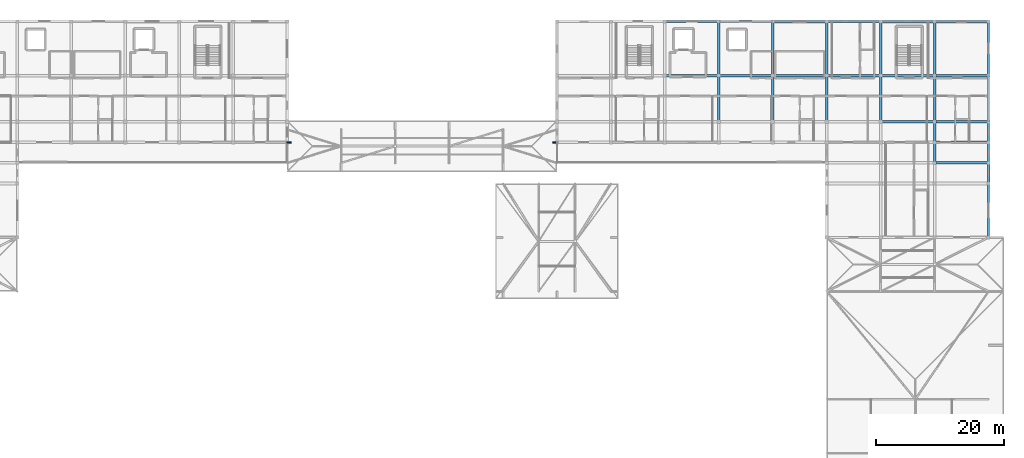
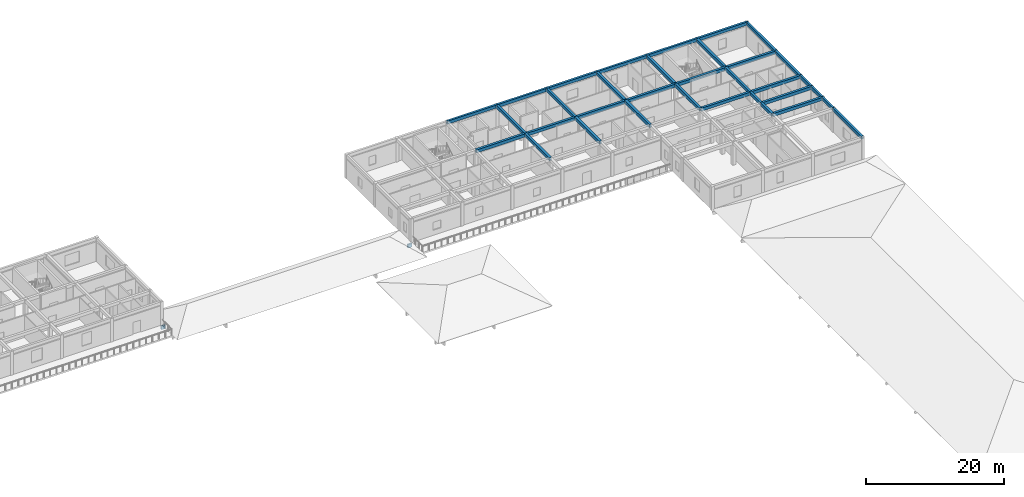
# One storey, part 6 of 26: 36 beams.
"""IFC4 building model written with IfcOpenShell, lengths in metres."""

from ifc_helpers import new_model, si_unit, direction, frame, origin, origin_2d, place, context, subcontext, project, spatial, rectangle, extrude, material, material_profile, profile_set, type_object, element, save


model = new_model("IFC4")

# Units and contexts
model_context = context("Model", 3, precision=1e-05, world=origin(), true_north=direction((0.0, 1.0)))
body_context = subcontext(model_context, "Body", "Model", "MODEL_VIEW")
ifc_project = project(units=[si_unit("LENGTHUNIT", "METRE"), si_unit("AREAUNIT", "SQUARE_METRE"), si_unit("VOLUMEUNIT", "CUBIC_METRE"), si_unit("PLANEANGLEUNIT", "RADIAN"), si_unit("MASSUNIT", "GRAM", prefix="KILO")], contexts=[model_context])

# Site, building, storey
site_placement = place(None, origin())
site = spatial("IfcSite", under=ifc_project, at=site_placement, CompositionType="ELEMENT")
building_placement = place(site_placement, origin())
building = spatial("IfcBuilding", under=site, at=building_placement, Name="Varncliffe General Hospital", CompositionType="ELEMENT")
storey_placement = place(building_placement, frame((0.0, 0.0, 28.800048828125)))
storey = spatial("IfcBuildingStorey", under=building, at=storey_placement, Name="L06", CompositionType="ELEMENT", Elevation=28.800048828125)

# Beams
ifc_material_1 = material(Name="Concrete C35/45 (CSA A23.1 35 MPa)", Category="concrete")
ifc_material_profile_1 = material_profile(ifc_material_1, rectangle(XDim=0.39990234375, YDim=0.550048828125, at=origin_2d()), Name="RC 400x550")
ifc_profile_set_1 = profile_set([ifc_material_profile_1], Name="Concrete C35/45 (CSA A23.1 35 MPa)")
beam_type_1 = type_object("IfcBeamType", Name="Beam B32 (Int RC 400x550)", PredefinedType="BEAM", material=ifc_profile_set_1)
for number, where, z_axis, x_axis, name in (
    (1, (168.0, 102.800048828125, 3.925048828125), (1.0, 0.0, 0.0), (0.0, 1.0, 0.0), "L06 Primary Beam B32-18"),
    (2, (168.0, 106.0, 3.925048828125), (1.0, 0.0, 0.0), (0.0, 1.0, 0.0), "L06 Primary Beam B32-34"),
    (3, (159.60009765625, 109.199951171875, 3.925048828125), (1.0, 0.0, 0.0), (0.0, 1.0, 0.0), "L06 Primary Beam B32-49"),
    (4, (168.0, 109.199951171875, 3.925048828125), (1.0, 0.0, 0.0), (0.0, 1.0, 0.0), "L06 Primary Beam B32-50"),
    (5, (126.0, 116.39990234375, 3.925048828125), (1.0, 0.0, 0.0), (0.0, 1.0, 0.0), "L06 Primary Beam B32-61"),
):
    element("IfcBeam", number, at=place(storey_placement, frame(where, z_axis=z_axis, x_axis=x_axis)), inside=storey, type_object=beam_type_1, Name=name, PredefinedType="BEAM", context=body_context, shape_type="SweptSolid", body=[
        extrude(rectangle(XDim=0.39990234375, YDim=0.550048828125, at=origin_2d()), origin(), (0.0, 0.0, 1.0), 8.39990234375),
    ])
beam_1_placement = place(storey_placement, frame((134.39990234375, 116.39990234375, 3.925048828125), z_axis=(1.0, 0.0, 0.0), x_axis=(0.0, 1.0, 0.0)))
element("IfcBeam", 6, at=beam_1_placement, inside=storey, type_object=beam_type_1, Name="L06 Primary Beam B32-62", PredefinedType="BEAM", context=body_context, shape_type="SweptSolid", body=[
    extrude(rectangle(XDim=0.39990234375, YDim=0.550048828125, at=origin_2d()), origin(), (0.0, 0.0, 1.0), 8.400146484375),
])
beam_2_placement = place(storey_placement, frame((142.800048828125, 116.39990234375, 3.925048828125), z_axis=(1.0, 0.0, 0.0), x_axis=(0.0, 1.0, 0.0)))
element("IfcBeam", 7, at=beam_2_placement, inside=storey, type_object=beam_type_1, Name="L06 Primary Beam B32-63", PredefinedType="BEAM", context=body_context, shape_type="SweptSolid", body=[
    extrude(rectangle(XDim=0.39990234375, YDim=0.550048828125, at=origin_2d()), origin(), (0.0, 0.0, 1.0), 8.39990234375),
])
beam_3_placement = place(storey_placement, frame((151.199951171875, 116.39990234375, 3.925048828125), z_axis=(1.0, 0.0, 0.0), x_axis=(0.0, 1.0, 0.0)))
element("IfcBeam", 8, at=beam_3_placement, inside=storey, type_object=beam_type_1, Name="L06 Primary Beam B32-64", PredefinedType="BEAM", context=body_context, shape_type="SweptSolid", body=[
    extrude(rectangle(XDim=0.39990234375, YDim=0.550048828125, at=origin_2d()), origin(), (0.0, 0.0, 1.0), 8.400146484375),
])
for number, where, z_axis, x_axis, name in (
    (9, (159.60009765625, 116.39990234375, 3.925048828125), (1.0, 0.0, 0.0), (0.0, 1.0, 0.0), "L06 Primary Beam B32-65"),
    (10, (168.0, 116.39990234375, 3.925048828125), (1.0, 0.0, 0.0), (0.0, 1.0, 0.0), "L06 Primary Beam B32-66"),
):
    element("IfcBeam", number, at=place(storey_placement, frame(where, z_axis=z_axis, x_axis=x_axis)), inside=storey, type_object=beam_type_1, Name=name, PredefinedType="BEAM", context=body_context, shape_type="SweptSolid", body=[
        extrude(rectangle(XDim=0.39990234375, YDim=0.550048828125, at=origin_2d()), origin(), (0.0, 0.0, 1.0), 8.39990234375),
    ])
beam_4_placement = place(storey_placement, frame((134.39990234375, 109.199951171875, 3.925048828125), z_axis=(0.0, 1.0, 0.0), x_axis=(-1.0, 0.0, 0.0)))
element("IfcBeam", 11, at=beam_4_placement, inside=storey, type_object=beam_type_1, Name="L06 Primary Beam B32-132", PredefinedType="BEAM", context=body_context, shape_type="SweptSolid", body=[
    extrude(rectangle(XDim=0.39990234375, YDim=0.550048828125, at=origin_2d()), origin(), (0.0, 0.0, 1.0), 7.199951171875),
])
beam_5_placement = place(storey_placement, frame((134.39990234375, 116.39990234375, 3.925048828125), z_axis=(0.0, 1.0, 0.0), x_axis=(-1.0, 0.0, 0.0)))
element("IfcBeam", 12, at=beam_5_placement, inside=storey, type_object=beam_type_1, Name="L06 Primary Beam B32-133", PredefinedType="BEAM", context=body_context, shape_type="SweptSolid", body=[
    extrude(rectangle(XDim=0.39990234375, YDim=0.550048828125, at=origin_2d()), origin(), (0.0, 0.0, 1.0), 8.400146484375),
])
beam_6_placement = place(storey_placement, frame((142.800048828125, 109.199951171875, 3.925048828125), z_axis=(0.0, 1.0, 0.0), x_axis=(-1.0, 0.0, 0.0)))
element("IfcBeam", 13, at=beam_6_placement, inside=storey, type_object=beam_type_1, Name="L06 Primary Beam B32-135", PredefinedType="BEAM", context=body_context, shape_type="SweptSolid", body=[
    extrude(rectangle(XDim=0.39990234375, YDim=0.550048828125, at=origin_2d()), origin(), (0.0, 0.0, 1.0), 7.199951171875),
])
beam_7_placement = place(storey_placement, frame((142.800048828125, 116.39990234375, 3.925048828125), z_axis=(0.0, 1.0, 0.0), x_axis=(-1.0, 0.0, 0.0)))
element("IfcBeam", 14, at=beam_7_placement, inside=storey, type_object=beam_type_1, Name="L06 Primary Beam B32-136", PredefinedType="BEAM", context=body_context, shape_type="SweptSolid", body=[
    extrude(rectangle(XDim=0.39990234375, YDim=0.550048828125, at=origin_2d()), origin(), (0.0, 0.0, 1.0), 8.400146484375),
])
beam_8_placement = place(storey_placement, frame((151.199951171875, 109.199951171875, 3.925048828125), z_axis=(0.0, 1.0, 0.0), x_axis=(-1.0, 0.0, 0.0)))
element("IfcBeam", 15, at=beam_8_placement, inside=storey, type_object=beam_type_1, Name="L06 Primary Beam B32-141", PredefinedType="BEAM", context=body_context, shape_type="SweptSolid", body=[
    extrude(rectangle(XDim=0.39990234375, YDim=0.550048828125, at=origin_2d()), origin(), (0.0, 0.0, 1.0), 7.199951171875),
])
beam_9_placement = place(storey_placement, frame((151.199951171875, 116.39990234375, 3.925048828125), z_axis=(0.0, 1.0, 0.0), x_axis=(-1.0, 0.0, 0.0)))
element("IfcBeam", 16, at=beam_9_placement, inside=storey, type_object=beam_type_1, Name="L06 Primary Beam B32-142", PredefinedType="BEAM", context=body_context, shape_type="SweptSolid", body=[
    extrude(rectangle(XDim=0.39990234375, YDim=0.550048828125, at=origin_2d()), origin(), (0.0, 0.0, 1.0), 8.400146484375),
])
beam_10_placement = place(storey_placement, frame((159.60009765625, 109.199951171875, 3.925048828125), z_axis=(0.0, 1.0, 0.0), x_axis=(-1.0, 0.0, 0.0)))
element("IfcBeam", 17, at=beam_10_placement, inside=storey, type_object=beam_type_1, Name="L06 Primary Beam B32-147", PredefinedType="BEAM", context=body_context, shape_type="SweptSolid", body=[
    extrude(rectangle(XDim=0.39990234375, YDim=0.550048828125, at=origin_2d()), origin(), (0.0, 0.0, 1.0), 7.199951171875),
])
beam_11_placement = place(storey_placement, frame((159.60009765625, 116.39990234375, 3.925048828125), z_axis=(0.0, 1.0, 0.0), x_axis=(-1.0, 0.0, 0.0)))
element("IfcBeam", 18, at=beam_11_placement, inside=storey, type_object=beam_type_1, Name="L06 Primary Beam B32-148", PredefinedType="BEAM", context=body_context, shape_type="SweptSolid", body=[
    extrude(rectangle(XDim=0.39990234375, YDim=0.550048828125, at=origin_2d()), origin(), (0.0, 0.0, 1.0), 8.400146484375),
])
for number, where, z_axis, x_axis, name in (
    (19, (168.0, 102.800048828125, 3.925048828125), (0.0, 1.0, 0.0), (-1.0, 0.0, 0.0), "L06 Primary Beam B32-151"),
    (20, (168.0, 106.0, 3.925048828125), (0.0, 1.0, 0.0), (-1.0, 0.0, 0.0), "L06 Primary Beam B32-152"),
):
    element("IfcBeam", number, at=place(storey_placement, frame(where, z_axis=z_axis, x_axis=x_axis)), inside=storey, type_object=beam_type_1, Name=name, PredefinedType="BEAM", context=body_context, shape_type="SweptSolid", body=[
        extrude(rectangle(XDim=0.39990234375, YDim=0.550048828125, at=origin_2d()), origin(), (0.0, 0.0, 1.0), 3.199951171875),
    ])
beam_12_placement = place(storey_placement, frame((168.0, 109.199951171875, 3.925048828125), z_axis=(0.0, 1.0, 0.0), x_axis=(-1.0, 0.0, 0.0)))
element("IfcBeam", 21, at=beam_12_placement, inside=storey, type_object=beam_type_1, Name="L06 Primary Beam B32-153", PredefinedType="BEAM", context=body_context, shape_type="SweptSolid", body=[
    extrude(rectangle(XDim=0.39990234375, YDim=0.550048828125, at=origin_2d()), origin(), (0.0, 0.0, 1.0), 7.199951171875),
])
beam_13_placement = place(storey_placement, frame((168.0, 116.39990234375, 3.925048828125), z_axis=(0.0, 1.0, 0.0), x_axis=(-1.0, 0.0, 0.0)))
element("IfcBeam", 22, at=beam_13_placement, inside=storey, type_object=beam_type_1, Name="L06 Primary Beam B32-154", PredefinedType="BEAM", context=body_context, shape_type="SweptSolid", body=[
    extrude(rectangle(XDim=0.39990234375, YDim=0.550048828125, at=origin_2d()), origin(), (0.0, 0.0, 1.0), 8.400146484375),
])
ifc_material_2 = material(Name="Glulam GL28h (CSA O86 24f-EX, 30 MPa)", Category="wood")
ifc_material_profile_2 = material_profile(ifc_material_2, rectangle(XDim=0.264892578125, YDim=0.60791015625, at=origin_2d()), Name="GL 265x608")
ifc_profile_set_2 = profile_set([ifc_material_profile_2], Name="Glulam GL28h (CSA O86 24f-EX, 30 MPa)")
beam_type_2 = type_object("IfcBeamType", Name="Beam B82 (Ext GL 265x608)", PredefinedType="BEAM", material=ifc_profile_set_2)
beam_14_placement = place(storey_placement, frame((67.14990234375, 106.0, -0.54638671875), z_axis=(1.0, 0.0, 0.0), x_axis=(0.0, 1.0, 0.0)))
element("IfcBeam", 23, at=beam_14_placement, inside=storey, type_object=beam_type_2, Name="L06 RF-V6-LINK West Eave Lookout Bracket 1", PredefinedType="BEAM", context=body_context, shape_type="SweptSolid", body=[
    extrude(rectangle(XDim=0.264892578125, YDim=0.60791015625, at=origin_2d()), origin(), (0.0, 0.0, 1.0), 0.7001953125),
])
beam_15_placement = place(storey_placement, frame((108.550048828125, 106.0, -0.54638671875), z_axis=(1.0, 0.0, 0.0), x_axis=(0.0, 1.0, 0.0)))
element("IfcBeam", 24, at=beam_15_placement, inside=storey, type_object=beam_type_2, Name="L06 RF-V6-LINK East Eave Lookout Bracket 1", PredefinedType="BEAM", context=body_context, shape_type="SweptSolid", body=[
    extrude(rectangle(XDim=0.264892578125, YDim=0.60791015625, at=origin_2d()), origin(), (0.0, 0.0, 1.0), 0.699951171875),
])
ifc_material_profile_3 = material_profile(ifc_material_1, rectangle(XDim=0.35009765625, YDim=0.550048828125, at=origin_2d()), Name="RC 350x550")
ifc_profile_set_3 = profile_set([ifc_material_profile_3], Name="Concrete C35/45 (CSA A23.1 35 MPa)")
beam_type_3 = type_object("IfcBeamType", Name="Spandrel SP20 (Ext RC 350x550)", PredefinedType="SPANDREL", material=ifc_profile_set_3)
beam_16_placement = place(storey_placement, frame((126.0, 124.800048828125, 3.925048828125), z_axis=(1.0, 0.0, 0.0), x_axis=(0.0, 1.0, 0.0)))
element("IfcBeam", 25, at=beam_16_placement, inside=storey, type_object=beam_type_3, Name="L06 Spandrel Beam SP20-77", PredefinedType="SPANDREL", context=body_context, shape_type="SweptSolid", body=[
    extrude(rectangle(XDim=0.35009765625, YDim=0.550048828125, at=origin_2d()), origin(), (0.0, 0.0, 1.0), 8.39990234375),
])
beam_17_placement = place(storey_placement, frame((134.39990234375, 124.800048828125, 3.925048828125), z_axis=(1.0, 0.0, 0.0), x_axis=(0.0, 1.0, 0.0)))
element("IfcBeam", 26, at=beam_17_placement, inside=storey, type_object=beam_type_3, Name="L06 Spandrel Beam SP20-78", PredefinedType="SPANDREL", context=body_context, shape_type="SweptSolid", body=[
    extrude(rectangle(XDim=0.35009765625, YDim=0.550048828125, at=origin_2d()), origin(), (0.0, 0.0, 1.0), 8.400146484375),
])
beam_18_placement = place(storey_placement, frame((142.800048828125, 124.800048828125, 3.925048828125), z_axis=(1.0, 0.0, 0.0), x_axis=(0.0, 1.0, 0.0)))
element("IfcBeam", 27, at=beam_18_placement, inside=storey, type_object=beam_type_3, Name="L06 Spandrel Beam SP20-79", PredefinedType="SPANDREL", context=body_context, shape_type="SweptSolid", body=[
    extrude(rectangle(XDim=0.35009765625, YDim=0.550048828125, at=origin_2d()), origin(), (0.0, 0.0, 1.0), 8.39990234375),
])
beam_19_placement = place(storey_placement, frame((151.199951171875, 124.800048828125, 3.925048828125), z_axis=(1.0, 0.0, 0.0), x_axis=(0.0, 1.0, 0.0)))
element("IfcBeam", 28, at=beam_19_placement, inside=storey, type_object=beam_type_3, Name="L06 Spandrel Beam SP20-80", PredefinedType="SPANDREL", context=body_context, shape_type="SweptSolid", body=[
    extrude(rectangle(XDim=0.35009765625, YDim=0.550048828125, at=origin_2d()), origin(), (0.0, 0.0, 1.0), 8.400146484375),
])
for number, where, z_axis, x_axis, name in (
    (29, (159.60009765625, 124.800048828125, 3.925048828125), (1.0, 0.0, 0.0), (0.0, 1.0, 0.0), "L06 Spandrel Beam SP20-81"),
    (30, (168.0, 124.800048828125, 3.925048828125), (1.0, 0.0, 0.0), (0.0, 1.0, 0.0), "L06 Spandrel Beam SP20-82"),
):
    element("IfcBeam", number, at=place(storey_placement, frame(where, z_axis=z_axis, x_axis=x_axis)), inside=storey, type_object=beam_type_3, Name=name, PredefinedType="SPANDREL", context=body_context, shape_type="SweptSolid", body=[
        extrude(rectangle(XDim=0.35009765625, YDim=0.550048828125, at=origin_2d()), origin(), (0.0, 0.0, 1.0), 8.39990234375),
    ])
beam_20_placement = place(storey_placement, frame((176.39990234375, 91.199951171875, 3.925048828125), z_axis=(0.0, 1.0, 0.0), x_axis=(-1.0, 0.0, 0.0)))
element("IfcBeam", 31, at=beam_20_placement, inside=storey, type_object=beam_type_3, Name="L06 Spandrel Beam SP20-155", PredefinedType="SPANDREL", context=body_context, shape_type="SweptSolid", body=[
    extrude(rectangle(XDim=0.35009765625, YDim=0.550048828125, at=origin_2d()), origin(), (0.0, 0.0, 1.0), 8.400146484375),
])
for number, where, z_axis, x_axis, name in (
    (32, (176.39990234375, 99.60009765625, 3.925048828125), (0.0, 1.0, 0.0), (-1.0, 0.0, 0.0), "L06 Spandrel Beam SP20-156"),
    (33, (176.39990234375, 102.800048828125, 3.925048828125), (0.0, 1.0, 0.0), (-1.0, 0.0, 0.0), "L06 Spandrel Beam SP20-157"),
    (34, (176.39990234375, 106.0, 3.925048828125), (0.0, 1.0, 0.0), (-1.0, 0.0, 0.0), "L06 Spandrel Beam SP20-158"),
):
    element("IfcBeam", number, at=place(storey_placement, frame(where, z_axis=z_axis, x_axis=x_axis)), inside=storey, type_object=beam_type_3, Name=name, PredefinedType="SPANDREL", context=body_context, shape_type="SweptSolid", body=[
        extrude(rectangle(XDim=0.35009765625, YDim=0.550048828125, at=origin_2d()), origin(), (0.0, 0.0, 1.0), 3.199951171875),
    ])
beam_21_placement = place(storey_placement, frame((176.39990234375, 109.199951171875, 3.925048828125), z_axis=(0.0, 1.0, 0.0), x_axis=(-1.0, 0.0, 0.0)))
element("IfcBeam", 35, at=beam_21_placement, inside=storey, type_object=beam_type_3, Name="L06 Spandrel Beam SP20-159", PredefinedType="SPANDREL", context=body_context, shape_type="SweptSolid", body=[
    extrude(rectangle(XDim=0.35009765625, YDim=0.550048828125, at=origin_2d()), origin(), (0.0, 0.0, 1.0), 7.199951171875),
])
beam_22_placement = place(storey_placement, frame((176.39990234375, 116.39990234375, 3.925048828125), z_axis=(0.0, 1.0, 0.0), x_axis=(-1.0, 0.0, 0.0)))
element("IfcBeam", 36, at=beam_22_placement, inside=storey, type_object=beam_type_3, Name="L06 Spandrel Beam SP20-160", PredefinedType="SPANDREL", context=body_context, shape_type="SweptSolid", body=[
    extrude(rectangle(XDim=0.35009765625, YDim=0.550048828125, at=origin_2d()), origin(), (0.0, 0.0, 1.0), 8.400146484375),
])

save(model, "model.ifc")
